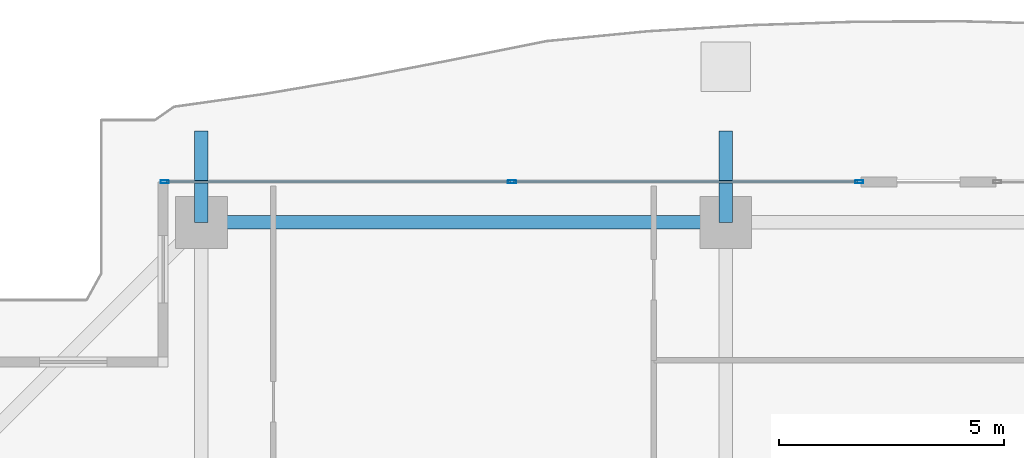
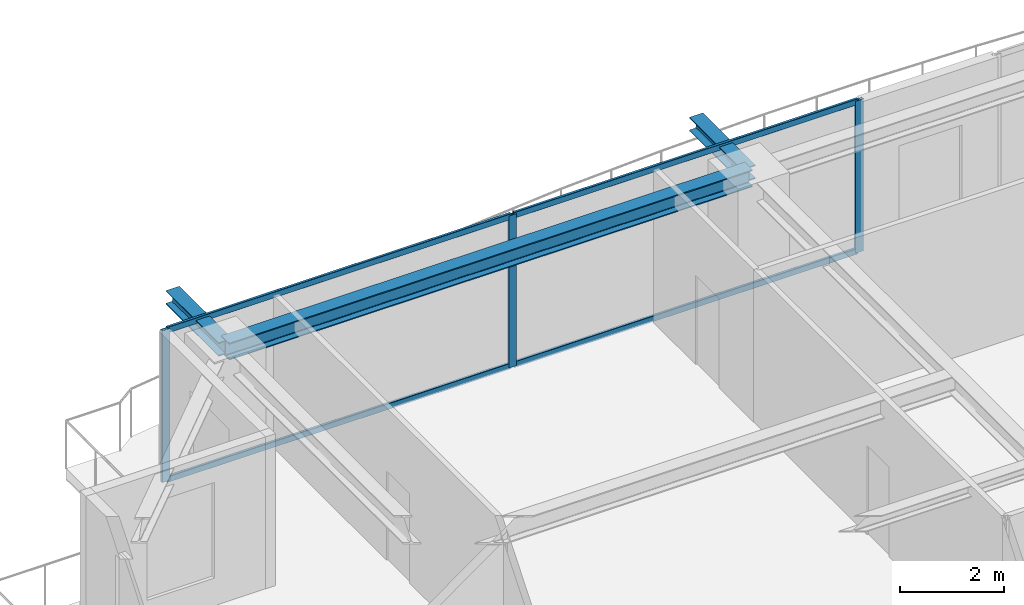
# One storey, part 21 of 38: 7 members, 3 beams, 1 element without a shape of its own.
"""IFC4 building model written with IfcOpenShell, lengths in metres."""

import ifcopenshell
import ifcopenshell.guid

model = None  # the IFC model being written
_history = None  # IfcOwnerHistory: only IFC2X3 demands one
_inside = {}  # id of a spatial element -> (the spatial element, [elements in it])
_under = {}  # id of a project, library or spatial element -> (it, [spatial elements below it])
_declared = {}  # id of a project -> (the project, [libraries it declares])
_typed = {}  # id of a type object -> (the type object, [elements of that type])
_made_of = {}  # id of a material, layer set ... -> (it, [elements and type objects made of it])


def new_model(schema):
    """Start an empty IFC model of exactly this schema.

    Asked for "IFC4X3", IfcOpenShell would pick the latest addendum, in which some entities
    have other attributes; the version numbers below select the first issue.
    IFC2X3 requires an IfcOwnerHistory on every rooted entity: one is made here for all.
    """
    global model, _history
    if schema == "IFC4X3":
        model = ifcopenshell.file(schema_version=(4, 3, 0, 0))
    else:
        model = ifcopenshell.file(schema=schema)
    _inside.clear()
    _under.clear()
    _declared.clear()
    _typed.clear()
    _made_of.clear()
    _history = None
    if model.schema == "IFC2X3":
        org = make("IfcOrganization", Name="unknown")
        user = make(
            "IfcPersonAndOrganization",
            ThePerson=make("IfcPerson", FamilyName="unknown"),
            TheOrganization=org,
        )
        app = make(
            "IfcApplication",
            ApplicationDeveloper=org,
            Version="unknown",
            ApplicationFullName="unknown",
            ApplicationIdentifier="unknown",
        )
        _history = make(
            "IfcOwnerHistory",
            OwningUser=user,
            OwningApplication=app,
            ChangeAction="ADDED",
            CreationDate=0,
        )
    return model


def make(cls, **values):
    """One entity of the class cls with the attributes given. An attribute that is None is left unset."""
    return model.create_entity(
        cls, **{name: value for name, value in values.items() if value is not None}
    )


def rooted(cls, **values):
    """An entity with a GlobalId (a new one), such as an element, a storey or a relation."""
    return make(cls, GlobalId=ifcopenshell.guid.new(), OwnerHistory=_history, **values)


def si_unit(unit_type, name, prefix=None):
    """IfcSIUnit, for example si_unit("LENGTHUNIT", "METRE", prefix="MILLI")."""
    return make("IfcSIUnit", UnitType=unit_type, Prefix=prefix, Name=name)


def assignment(units):
    """IfcUnitAssignment: the units of a project."""
    return None if units is None else make("IfcUnitAssignment", Units=units)


def point(xyz):
    """IfcCartesianPoint."""
    return None if xyz is None else make("IfcCartesianPoint", Coordinates=xyz)


def direction(xyz):
    """IfcDirection."""
    return None if xyz is None else make("IfcDirection", DirectionRatios=xyz)


def frame(location, z_axis=None, x_axis=None):
    """IfcAxis2Placement3D, a coordinate frame: its origin and axes. An axis left out is left unset."""
    return make(
        "IfcAxis2Placement3D",
        Location=point(location),
        Axis=direction(z_axis),
        RefDirection=direction(x_axis),
    )


def frame_2d(location, x_axis=None):
    """IfcAxis2Placement2D, a coordinate frame in the plane: its origin and x axis."""
    return make(
        "IfcAxis2Placement2D", Location=point(location), RefDirection=direction(x_axis)
    )


def origin():
    """The frame at (0, 0, 0) with its axes left unset."""
    return frame((0.0, 0.0, 0.0))


def origin_2d():
    """The frame at (0, 0) in the plane with its x axis left unset."""
    return frame_2d((0.0, 0.0))


def place(relative_to, where):
    """IfcLocalPlacement: puts the frame where relative to a parent placement (None: the world)."""
    return make(
        "IfcLocalPlacement", PlacementRelTo=relative_to, RelativePlacement=where
    )


def context(
    kind, dimensions, precision=None, world=None, true_north=None, identifier=None
):
    """IfcGeometricRepresentationContext, for example the 3D "Model" context."""
    return make(
        "IfcGeometricRepresentationContext",
        ContextIdentifier=identifier,
        ContextType=kind,
        CoordinateSpaceDimension=dimensions,
        Precision=precision,
        WorldCoordinateSystem=world,
        TrueNorth=true_north,
    )


def subcontext(parent, identifier, kind, view, scale=None):
    """IfcGeometricRepresentationSubContext, for example "Body" below "Model"."""
    return make(
        "IfcGeometricRepresentationSubContext",
        ContextIdentifier=identifier,
        ContextType=kind,
        ParentContext=parent,
        TargetScale=scale,
        TargetView=view,
    )


def project(units=None, contexts=None):
    """IfcProject with its units and contexts."""
    return rooted(
        "IfcProject",
        Name="project",
        RepresentationContexts=contexts,
        UnitsInContext=assignment(units),
    )


def spatial(cls, under=None, at=None, **own):
    """A site, building, storey or space (cls), placed at a placement, below another one or the project."""
    s = rooted(cls, ObjectPlacement=at, **own)
    if under is not None:
        _under.setdefault(under.id(), (under, []))[1].append(s)
    return s


def profile(cls, at=None, kind="AREA", **sizes):
    """A parametric profile (cls). Its sizes go by their IFC names, for example OverallWidth=200.0."""
    return make(cls, ProfileType=kind, Position=at, **sizes)


def hollow_rectangle(**sizes):
    """IfcRectangleHollowProfileDef."""
    return profile("IfcRectangleHollowProfileDef", **sizes)


def i_section(**sizes):
    """IfcIShapeProfileDef."""
    return profile("IfcIShapeProfileDef", **sizes)


def extrude(swept, where, along, depth):
    """IfcExtrudedAreaSolid: the profile swept, set in the frame where, extruded along a direction by depth."""
    return make(
        "IfcExtrudedAreaSolid",
        SweptArea=swept,
        Position=where,
        ExtrudedDirection=direction(along),
        Depth=depth,
    )


def shape(context_of_items, identifier, shape_type, items):
    """IfcShapeRepresentation: the items that make up one representation, for example the "Body"."""
    return make(
        "IfcShapeRepresentation",
        ContextOfItems=context_of_items,
        RepresentationIdentifier=identifier,
        RepresentationType=shape_type,
        Items=items,
    )


def source(mapping_origin, context_of_items, identifier, shape_type, items):
    """IfcRepresentationMap: a shape defined once, which mapped items show again and again."""
    return make(
        "IfcRepresentationMap",
        MappingOrigin=mapping_origin,
        MappedRepresentation=shape(context_of_items, identifier, shape_type, items),
    )


def transform(
    local_origin,
    x_axis=None,
    y_axis=None,
    z_axis=None,
    scale=None,
    scale2=None,
    scale3=None,
    uniform=True,
):
    """IfcCartesianTransformationOperator3D, or its non-uniform kind. x_axis, y_axis, z_axis: its Axis1, 2, 3."""
    if uniform:
        return make(
            "IfcCartesianTransformationOperator3D",
            Axis1=direction(x_axis),
            Axis2=direction(y_axis),
            LocalOrigin=point(local_origin),
            Scale=scale,
            Axis3=direction(z_axis),
        )
    return make(
        "IfcCartesianTransformationOperator3DnonUniform",
        Axis1=direction(x_axis),
        Axis2=direction(y_axis),
        LocalOrigin=point(local_origin),
        Scale=scale,
        Axis3=direction(z_axis),
        Scale2=scale2,
        Scale3=scale3,
    )


def mapped(mapping_source, mapping_target):
    """IfcMappedItem: shows the shape of a source again, moved by a transform."""
    return make(
        "IfcMappedItem", MappingSource=mapping_source, MappingTarget=mapping_target
    )


def material(Name=None, Category=None):
    """IfcMaterial."""
    return make("IfcMaterial", Name=Name, Category=Category)


def layer(
    of_material, thickness, ventilated=None, Name=None, Category=None, Priority=None
):
    """IfcMaterialLayer: one layer of a wall or slab, of a material (None: an air gap)."""
    return make(
        "IfcMaterialLayer",
        Material=of_material,
        LayerThickness=thickness,
        IsVentilated=ventilated,
        Name=Name,
        Category=Category,
        Priority=Priority,
    )


def layer_set(layers, Name=None):
    """IfcMaterialLayerSet."""
    return make("IfcMaterialLayerSet", MaterialLayers=layers, LayerSetName=Name)


def material_profile(
    of_material, cross_section, Name=None, Category=None, Priority=None
):
    """IfcMaterialProfile: a cross section and its material."""
    return make(
        "IfcMaterialProfile",
        Name=Name,
        Material=of_material,
        Profile=cross_section,
        Priority=Priority,
        Category=Category,
    )


def profile_set(profiles, Name=None, composite=None):
    """IfcMaterialProfileSet."""
    return make(
        "IfcMaterialProfileSet",
        Name=Name,
        MaterialProfiles=profiles,
        CompositeProfile=composite,
    )


def made_of(thing, what):
    """Note that an element or type object is made of a material, layer set ...; save() writes the relation."""
    if what is not None:
        _made_of.setdefault(what.id(), (what, []))[1].append(thing)
    return thing


def type_object(cls, material=None, **own):
    """A type object (cls), such as IfcWallType, which elements share."""
    return made_of(rooted(cls, **own), material)


def element(
    cls,
    number,
    at=None,
    inside=None,
    cuts=None,
    type_object=None,
    material=None,
    context=None,
    identifier="Body",
    shape_type=None,
    held_by="IfcProductDefinitionShape",
    body=None,
    shapes=None,
    **own,
):
    """One element of the class cls, such as IfcWall. Its Tag is "e" and its number.

    at: its placement. inside: the storey or other place that contains it. cuts: it is an
    opening in that element (IfcRelVoidsElement). A single representation is given by context,
    identifier, shape_type and body (its items); several are given by shapes. held_by: the class
    of the entity that holds the representations. save() writes the other relations.
    """
    e = rooted(cls, Tag="e%d" % number, ObjectPlacement=at, **own)
    if body is not None:
        shapes = [shape(context, identifier, shape_type, body)]
    if shapes is not None:
        e.Representation = make(held_by, Representations=shapes)
    if inside is not None:
        _inside.setdefault(inside.id(), (inside, []))[1].append(e)
    if cuts is not None:
        rooted(
            "IfcRelVoidsElement", RelatingBuildingElement=cuts, RelatedOpeningElement=e
        )
    if type_object is not None:
        _typed.setdefault(type_object.id(), (type_object, []))[1].append(e)
    return made_of(e, material)


def aggregate(whole, parts):
    """IfcRelAggregates: a whole, such as a stair, and the parts it consists of."""
    return rooted("IfcRelAggregates", RelatingObject=whole, RelatedObjects=parts)


def save(model, path):
    """Write the relations noted so far, then the file.

    IfcRelAggregates (storeys below a building ...), IfcRelContainedInSpatialStructure (elements
    in a storey), IfcRelDefinesByType, IfcRelAssociatesMaterial and IfcRelDeclares: one each for
    every whole, place, type object, material and project.
    """
    for whole, parts in _under.values():
        aggregate(whole, parts)
    for where, things in _inside.values():
        rooted(
            "IfcRelContainedInSpatialStructure",
            RelatedElements=things,
            RelatingStructure=where,
        )
    for kind, things in _typed.values():
        rooted("IfcRelDefinesByType", RelatedObjects=things, RelatingType=kind)
    for what, things in _made_of.values():
        rooted("IfcRelAssociatesMaterial", RelatedObjects=things, RelatingMaterial=what)
    for by, libraries in _declared.values():
        rooted("IfcRelDeclares", RelatingContext=by, RelatedDefinitions=libraries)
    model.write(path)


model = new_model("IFC4")

# Units and contexts
model_context = context("Model", 3, precision=1e-05, world=origin(), true_north=direction((0.0, 1.0)))
body_context = subcontext(model_context, "Body", "Model", "MODEL_VIEW")
ifc_project = project(units=[si_unit("LENGTHUNIT", "METRE"), si_unit("AREAUNIT", "SQUARE_METRE"), si_unit("VOLUMEUNIT", "CUBIC_METRE"), si_unit("PLANEANGLEUNIT", "RADIAN"), si_unit("MASSUNIT", "GRAM", prefix="KILO")], contexts=[model_context])

# Site, building, storey
site_placement = place(None, origin())
site = spatial("IfcSite", under=ifc_project, at=site_placement, CompositionType="ELEMENT")
building_placement = place(site_placement, origin())
building = spatial("IfcBuilding", under=site, at=building_placement, Name="Serunith Strait Residences", CompositionType="ELEMENT")
storey_placement = place(building_placement, frame((0.0, 0.0, 237.39990234375)))
storey = spatial("IfcBuildingStorey", under=building, at=storey_placement, Name="L59", CompositionType="ELEMENT", Elevation=237.39990234375)

# Beams
ifc_material_1 = material(Name="Steel S355J2", Category="steel")
ifc_material_profile_1 = material_profile(ifc_material_1, i_section(OverallWidth=0.300048828125, OverallDepth=0.39990234375, WebThickness=0.013427734375, FlangeThickness=0.02392578125, FilletRadius=0.027099609375, at=origin_2d()), Name="HEB 400")
ifc_profile_set_1 = profile_set([ifc_material_profile_1], Name="Steel S355J2")
beam_type_1 = type_object("IfcBeamType", Name="BM-HEB400", PredefinedType="BEAM", material=ifc_profile_set_1)
shared_shape_1 = source(origin(), body_context, "Body", "SweptSolid", [
    extrude(i_section(OverallWidth=0.300048828125, OverallDepth=0.39990234375, WebThickness=0.013427734375, FlangeThickness=0.02392578125, FilletRadius=0.027099609375, at=origin_2d()), origin(), (0.0, 0.0, 1.0), 11.64990234375),
])
beam_placement = place(storey_placement, frame((27.89990234375, 48.300048828125, 3.38720703125), z_axis=(-1.0, 0.0, 0.0), x_axis=(0.0, -1.0, 0.0)))
element("IfcBeam", 1, at=beam_placement, inside=storey, type_object=beam_type_1, Name="L59 Perimeter Ring Beam 11", PredefinedType="BEAM", context=body_context, shape_type="MappedRepresentation", body=[
    mapped(shared_shape_1, transform((0.0, 0.0, 0.0), scale=1.0)),
])
ifc_material_profile_2 = material_profile(ifc_material_1, i_section(OverallWidth=0.300048828125, OverallDepth=0.320068359375, WebThickness=0.011474609375, FlangeThickness=0.0205078125, FilletRadius=0.027099609375, at=origin_2d()), Name="HEB 320")
ifc_profile_set_2 = profile_set([ifc_material_profile_2], Name="Steel S355J2")
beam_type_2 = type_object("IfcBeamType", Name="BM-HEB320", PredefinedType="BEAM", material=ifc_profile_set_2)
shared_shape_2 = source(origin(), body_context, "Body", "SweptSolid", [
    extrude(i_section(OverallWidth=0.300048828125, OverallDepth=0.320068359375, WebThickness=0.011474609375, FlangeThickness=0.0205078125, FilletRadius=0.027099609375, at=origin_2d()), origin(), (0.0, 0.0, 1.0), 2.030029296875),
])
for number, where, z_axis, x_axis, name in (
    (2, (16.25, 48.300048828125, 3.397216796875), (0.0, 1.0, 0.0), (-1.0, 0.0, 0.0), "L60 Cantilevered Balcony Rib TC-N1"),
    (3, (27.89990234375, 48.300048828125, 3.397216796875), (0.0, 1.0, 0.0), (-1.0, 0.0, 0.0), "L60 Cantilevered Balcony Rib TC-N2"),
):
    element("IfcBeam", number, at=place(storey_placement, frame(where, z_axis=z_axis, x_axis=x_axis)), inside=storey, type_object=beam_type_2, Name=name, PredefinedType="BEAM", context=body_context, shape_type="MappedRepresentation", body=[
        mapped(shared_shape_2, transform((0.0, 0.0, 0.0), scale=1.0)),
    ])

# Curtain wall, members
ifc_material_2 = material(Name="Pale-Champagne Anodised Aluminium", Category="aluminium")
ifc_layer = layer(ifc_material_2, 0.199951171875, Name="Pale-Champagne Anodised Aluminium")
ifc_layer_set = layer_set([ifc_layer], Name="Pale-Champagne Anodised Aluminium")
curtain_wall_type = type_object("IfcCurtainWallType", Name="CW-SYS4", PredefinedType="NOTDEFINED", material=ifc_layer_set)
curtain_wall_placement = place(storey_placement, origin())
curtain_wall = element("IfcCurtainWall", 4, at=curtain_wall_placement, inside=storey, type_object=curtain_wall_type, Name="L59 N Unitised Fritted Curtain Wall", PredefinedType="NOTDEFINED")
ifc_material_profile_3 = material_profile(ifc_material_2, hollow_rectangle(XDim=0.06005859375, YDim=0.139892578125, WallThickness=0.00341796875, InnerFilletRadius=0.00537109375, OuterFilletRadius=0.0087890625, at=origin_2d()), Name="ALU 140x60x3.5")
ifc_profile_set_3 = profile_set([ifc_material_profile_3], Name="Pale-Champagne Anodised Aluminium")
member_type_1 = type_object("IfcMemberType", Name="CW-SYS4-TRAN", PredefinedType="USERDEFINED", material=ifc_profile_set_3)
shared_shape_3 = source(origin(), body_context, "Body", "SweptSolid", [
    extrude(hollow_rectangle(XDim=0.06005859375, YDim=0.139892578125, WallThickness=0.00341796875, InnerFilletRadius=0.00537109375, OuterFilletRadius=0.0087890625, at=origin_2d()), origin(), (0.0, 0.0, 1.0), 7.65234375),
])
member_1_placement = place(storey_placement, frame((30.8349609375, 49.199951171875, 0.030029296875), z_axis=(-1.0, 0.0, 0.0), x_axis=(0.0, -1.0, 0.0)))
member_1 = element("IfcMember", 5, at=member_1_placement, type_object=member_type_1, Name="CW-4 transom 1.1", ObjectType="TRANSOM", PredefinedType="USERDEFINED", context=body_context, shape_type="MappedRepresentation", body=[
    mapped(shared_shape_3, transform((0.0, 0.0, 0.0), scale=1.0)),
])
member_2_placement = place(storey_placement, frame((30.8349609375, 49.199951171875, 3.545166015625), z_axis=(-1.0, 0.0, 0.0), x_axis=(0.0, -1.0, 0.0)))
member_2 = element("IfcMember", 6, at=member_2_placement, type_object=member_type_1, Name="CW-4 transom 1.2", ObjectType="TRANSOM", PredefinedType="USERDEFINED", context=body_context, shape_type="MappedRepresentation", body=[
    mapped(shared_shape_3, transform((0.0, 0.0, 0.0), scale=1.0)),
])
member_3_placement = place(storey_placement, frame((23.117431640625, 49.199951171875, 0.030029296875), z_axis=(-1.0, 0.0, 0.0), x_axis=(0.0, -1.0, 0.0)))
member_3 = element("IfcMember", 7, at=member_3_placement, type_object=member_type_1, Name="CW-4 transom 2.1", ObjectType="TRANSOM", PredefinedType="USERDEFINED", context=body_context, shape_type="MappedRepresentation", body=[
    mapped(shared_shape_3, transform((0.0, 0.0, 0.0), scale=1.0)),
])
member_4_placement = place(storey_placement, frame((23.117431640625, 49.199951171875, 3.545166015625), z_axis=(-1.0, 0.0, 0.0), x_axis=(0.0, -1.0, 0.0)))
member_4 = element("IfcMember", 8, at=member_4_placement, type_object=member_type_1, Name="CW-4 transom 2.2", ObjectType="TRANSOM", PredefinedType="USERDEFINED", context=body_context, shape_type="MappedRepresentation", body=[
    mapped(shared_shape_3, transform((0.0, 0.0, 0.0), scale=1.0)),
])
ifc_material_profile_4 = material_profile(ifc_material_2, hollow_rectangle(XDim=0.06494140625, YDim=0.179931640625, WallThickness=0.00341796875, InnerFilletRadius=0.00537109375, OuterFilletRadius=0.0087890625, at=origin_2d()), Name="ALU 180x65x3.5")
ifc_profile_set_4 = profile_set([ifc_material_profile_4], Name="Pale-Champagne Anodised Aluminium")
member_type_2 = type_object("IfcMemberType", Name="CW-SYS4-MULL", PredefinedType="MULLION", material=ifc_profile_set_4)
shared_shape_4 = source(origin(), body_context, "Body", "SweptSolid", [
    extrude(hollow_rectangle(XDim=0.06494140625, YDim=0.179931640625, WallThickness=0.00341796875, InnerFilletRadius=0.00537109375, OuterFilletRadius=0.0087890625, at=origin_2d()), origin(), (0.0, 0.0, 1.0), 3.5751953125),
])
member_5_placement = place(storey_placement, frame((30.867431640625, 49.199951171875, 0.0), z_axis=(0.0, 0.0, 1.0), x_axis=(0.0, -1.0, 0.0)))
member_5 = element("IfcMember", 9, at=member_5_placement, type_object=member_type_2, Name="CW-4 mullion 1", PredefinedType="MULLION", context=body_context, shape_type="MappedRepresentation", body=[
    mapped(shared_shape_4, transform((0.0, 0.0, 0.0), scale=1.0)),
])
member_6_placement = place(storey_placement, frame((23.14990234375, 49.199951171875, 0.0), z_axis=(0.0, 0.0, 1.0), x_axis=(0.0, -1.0, 0.0)))
member_6 = element("IfcMember", 10, at=member_6_placement, type_object=member_type_2, Name="CW-4 mullion 2", PredefinedType="MULLION", context=body_context, shape_type="MappedRepresentation", body=[
    mapped(shared_shape_4, transform((0.0, 0.0, 0.0), scale=1.0)),
])
member_7_placement = place(storey_placement, frame((15.4326171875, 49.199951171875, 0.0), z_axis=(0.0, 0.0, 1.0), x_axis=(0.0, -1.0, 0.0)))
member_7 = element("IfcMember", 11, at=member_7_placement, type_object=member_type_2, Name="CW-4 mullion 3", PredefinedType="MULLION", context=body_context, shape_type="MappedRepresentation", body=[
    mapped(shared_shape_4, transform((0.0, 0.0, 0.0), scale=1.0)),
])
aggregate(curtain_wall, [member_5, member_6, member_7, member_1, member_2, member_3, member_4])

save(model, "model.ifc")
